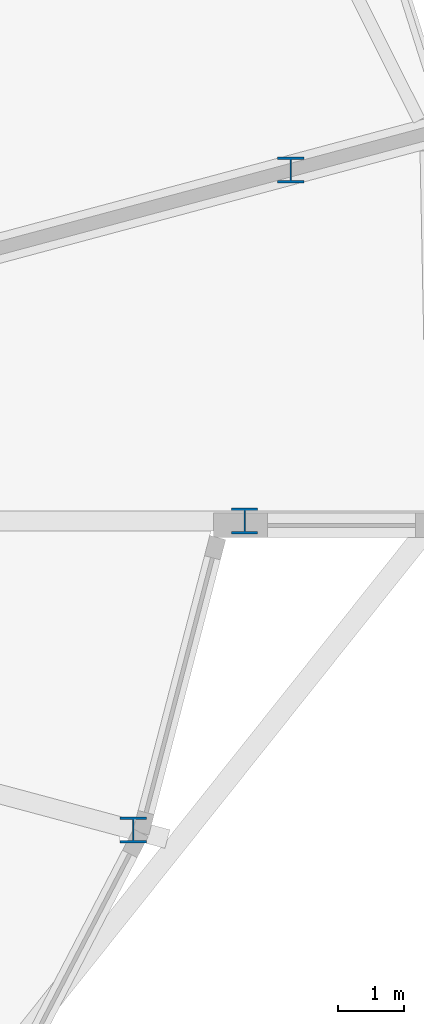
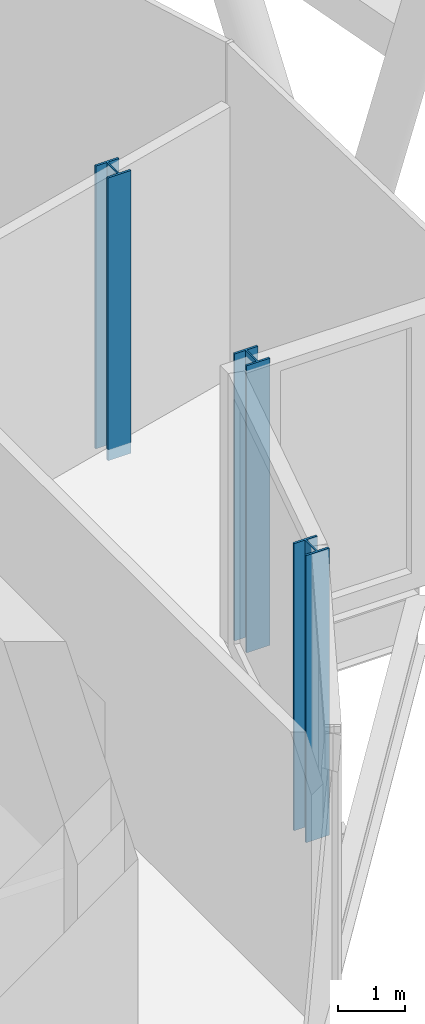
# One storey, part 2 of 33: 3 columns.
"""IFC4 building model written with IfcOpenShell, lengths in metres."""

from ifc_helpers import new_model, si_unit, direction, frame, origin, origin_2d, place, context, subcontext, project, spatial, i_section, extrude, material, material_profile, profile_set, type_object, element, save


model = new_model("IFC4")

# Units and contexts
model_context = context("Model", 3, precision=1e-05, world=origin(), true_north=direction((0.0, 1.0)))
body_context = subcontext(model_context, "Body", "Model", "MODEL_VIEW")
ifc_project = project(units=[si_unit("LENGTHUNIT", "METRE"), si_unit("AREAUNIT", "SQUARE_METRE"), si_unit("VOLUMEUNIT", "CUBIC_METRE"), si_unit("PLANEANGLEUNIT", "RADIAN"), si_unit("MASSUNIT", "GRAM", prefix="KILO")], contexts=[model_context])

# Site, building, storey
site_placement = place(None, origin())
site = spatial("IfcSite", under=ifc_project, at=site_placement, CompositionType="ELEMENT")
building_placement = place(site_placement, origin())
building = spatial("IfcBuilding", under=site, at=building_placement, Name="Rimbun Link Towers", CompositionType="ELEMENT")
storey_placement = place(building_placement, frame((0.0, 0.0, 75.60009765625)))
storey = spatial("IfcBuildingStorey", under=building, at=storey_placement, Name="L18", CompositionType="ELEMENT", Elevation=75.60009765625)

# Columns
ifc_material = material(Name="Steel S355J2", Category="steel")
ifc_material_profile = material_profile(ifc_material, i_section(OverallWidth=0.39892578125, OverallDepth=0.3935546875, WebThickness=0.022705078125, FlangeThickness=0.03662109375, at=origin_2d()), Name="UC 356x406x287")
ifc_profile_set = profile_set([ifc_material_profile], Name="Steel S355J2")
column_type = type_object("IfcColumnType", Name="UC 356x406x287", PredefinedType="COLUMN", material=ifc_profile_set)
for number, where, z_axis, x_axis, name in (
    (1, (49.25732421875, -4.691162109375, -0.2001953125), (0.0, 0.0, 1.0), (1.0, 0.0, 0.0), "Crease post T2 L18 20"),
    (2, (50.94921875, 0.0, -0.2001953125), (0.0, 0.0, 1.0), (1.0, 0.0, 0.0), "Crease post T2 L18 21"),
):
    element("IfcColumn", number, at=place(storey_placement, frame(where, z_axis=z_axis, x_axis=x_axis)), inside=storey, type_object=column_type, Name=name, PredefinedType="COLUMN", context=body_context, shape_type="SweptSolid", body=[
        extrude(i_section(OverallWidth=0.39892578125, OverallDepth=0.3935546875, WebThickness=0.022705078125, FlangeThickness=0.03662109375, at=origin_2d()), origin(), (0.0, 0.0, 1.0), 5.199462890625),
    ])
column_placement = place(storey_placement, frame((51.65185546875, 5.332763671875, -0.2001953125), z_axis=(0.0, 0.0, 1.0), x_axis=(1.0, 0.0, 0.0)))
element("IfcColumn", 3, at=column_placement, inside=storey, type_object=column_type, Name="Crease post T2 L18 22", PredefinedType="COLUMN", context=body_context, shape_type="SweptSolid", body=[
    extrude(i_section(OverallWidth=0.39892578125, OverallDepth=0.3935546875, WebThickness=0.022705078125, FlangeThickness=0.03662109375, at=origin_2d()), origin(), (0.0, 0.0, 1.0), 5.12158203125),
])

save(model, "model.ifc")
